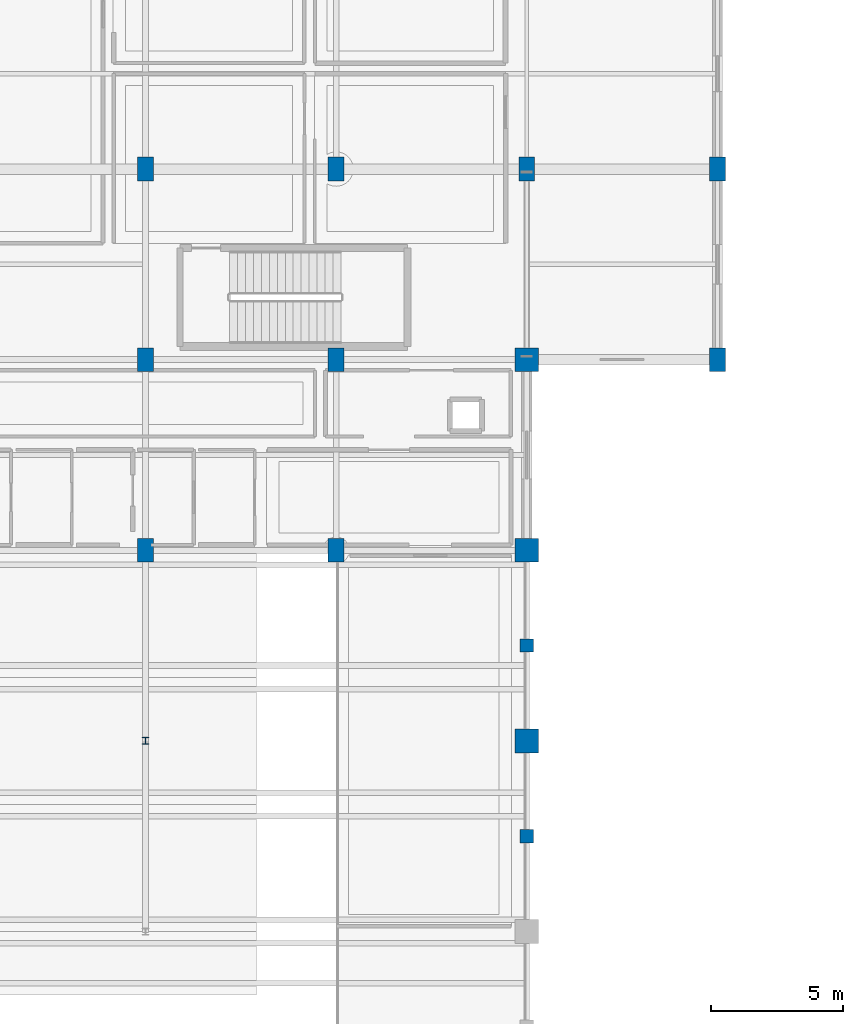
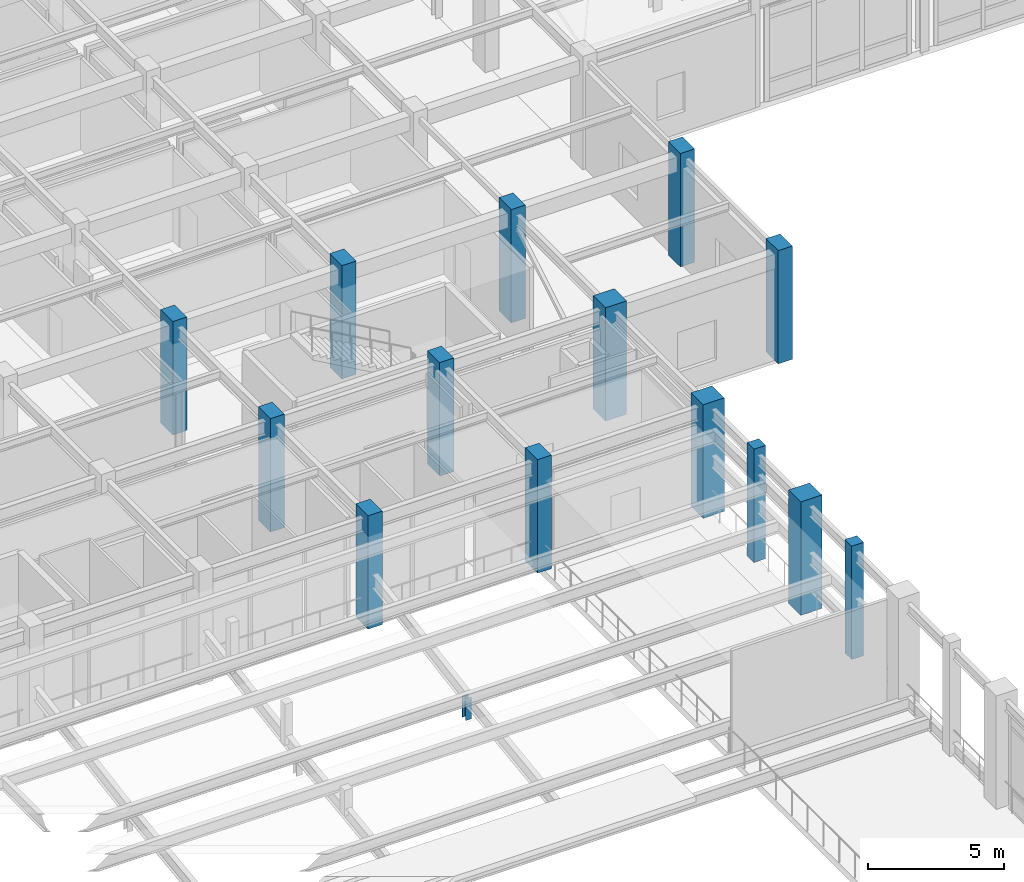
# One storey, part 3 of 117: 15 columns.
"""IFC4 building model written with IfcOpenShell, lengths in metres."""

from ifc_helpers import new_model, si_unit, direction, frame, origin, origin_2d, place, context, subcontext, project, spatial, rectangle, i_section, extrude, material, material_profile, profile_set, type_object, element, save


model = new_model("IFC4")

# Units and contexts
model_context = context("Model", 3, precision=1e-05, world=origin(), true_north=direction((0.0, 1.0)))
body_context = subcontext(model_context, "Body", "Model", "MODEL_VIEW")
ifc_project = project(units=[si_unit("LENGTHUNIT", "METRE"), si_unit("AREAUNIT", "SQUARE_METRE"), si_unit("VOLUMEUNIT", "CUBIC_METRE"), si_unit("PLANEANGLEUNIT", "RADIAN"), si_unit("MASSUNIT", "GRAM", prefix="KILO")], contexts=[model_context])

# Site, building, storey
site_placement = place(None, origin())
site = spatial("IfcSite", under=ifc_project, at=site_placement, CompositionType="ELEMENT")
building_placement = place(site_placement, origin())
building = spatial("IfcBuilding", under=site, at=building_placement, Name="Carrowvane Square Congress Hotel", CompositionType="ELEMENT")
storey_placement = place(building_placement, frame((0.0, 0.0, 5.39990234375)))
storey = spatial("IfcBuildingStorey", under=building, at=storey_placement, Name="L01", CompositionType="ELEMENT", Elevation=5.39990234375)

# Columns
ifc_material_1 = material(Name="Concrete C40/50", Category="concrete")
ifc_material_profile_1 = material_profile(ifc_material_1, rectangle(XDim=0.60009765625, YDim=0.89990234375, at=origin_2d()), Name="RC 600x900")
ifc_profile_set_1 = profile_set([ifc_material_profile_1], Name="Concrete C40/50")
column_type_1 = type_object("IfcColumnType", Name="COL-RC-600x900", PredefinedType="COLUMN", material=ifc_profile_set_1)
for number, where, z_axis, x_axis, name in (
    (1, (47.60009765625, 48.60009765625, 0.0), (0.0, 0.0, 1.0), (1.0, 0.0, 0.0), "L01 column 6/G"),
    (2, (47.60009765625, 55.800048828125, 0.0), (0.0, 0.0, 1.0), (1.0, 0.0, 0.0), "L01 column 6/H"),
    (3, (47.60009765625, 63.0, 0.0), (0.0, 0.0, 1.0), (1.0, 0.0, 0.0), "L01 column 6/J"),
    (4, (54.800048828125, 48.60009765625, 0.0), (0.0, 0.0, 1.0), (1.0, 0.0, 0.0), "L01 column 7/G"),
    (5, (54.800048828125, 55.800048828125, 0.0), (0.0, 0.0, 1.0), (1.0, 0.0, 0.0), "L01 column 7/H"),
    (6, (54.800048828125, 63.0, 0.0), (0.0, 0.0, 1.0), (1.0, 0.0, 0.0), "L01 column 7/J"),
    (7, (62.0, 63.0, 0.0), (0.0, 0.0, 1.0), (1.0, 0.0, 0.0), "L01 column 8/J"),
    (8, (69.199951171875, 55.800048828125, 0.0), (0.0, 0.0, 1.0), (1.0, 0.0, 0.0), "L01 column 9/H"),
    (9, (69.199951171875, 63.0, 0.0), (0.0, 0.0, 1.0), (1.0, 0.0, 0.0), "L01 column 9/J"),
):
    element("IfcColumn", number, at=place(storey_placement, frame(where, z_axis=z_axis, x_axis=x_axis)), inside=storey, type_object=column_type_1, Name=name, PredefinedType="COLUMN", context=body_context, shape_type="SweptSolid", body=[
        extrude(rectangle(XDim=0.60009765625, YDim=0.89990234375, at=origin_2d()), origin(), (0.0, 0.0, 1.0), 5.10009765625),
    ])
ifc_material_2 = material(Name="Steel S355", Category="steel")
ifc_material_profile_2 = material_profile(ifc_material_2, i_section(OverallWidth=0.25634765625, OverallDepth=0.26025390625, WebThickness=0.01025390625, FlangeThickness=0.017333984375, FilletRadius=0.0126953125, at=origin_2d()), Name="UKC 254x254x89")
ifc_profile_set_2 = profile_set([ifc_material_profile_2], Name="Steel S355")
column_type_2 = type_object("IfcColumnType", Name="COL-ST-UKC254", PredefinedType="COLUMN", material=ifc_profile_set_2)
column_placement = place(storey_placement, frame((47.60009765625, 41.39990234375, 0.0), z_axis=(0.0, 0.0, 1.0), x_axis=(1.0, 0.0, 0.0)))
element("IfcColumn", 10, at=column_placement, inside=storey, type_object=column_type_2, Name="L01 column RK47/RY41", PredefinedType="COLUMN", context=body_context, shape_type="SweptSolid", body=[
    extrude(i_section(OverallWidth=0.25634765625, OverallDepth=0.26025390625, WebThickness=0.01025390625, FlangeThickness=0.017333984375, FilletRadius=0.0126953125, at=origin_2d()), origin(), (0.0, 0.0, 1.0), 0.97021484375),
])
ifc_material_3 = material(Name="Concrete C40/50", Category="concrete")
ifc_material_profile_3 = material_profile(ifc_material_3, rectangle(XDim=0.89990234375, YDim=0.89990234375, at=origin_2d()), Name="RC 900x900")
ifc_profile_set_3 = profile_set([ifc_material_profile_3], Name="Concrete C40/50")
column_type_3 = type_object("IfcColumnType", Name="MCOL-RC-900", PredefinedType="COLUMN", material=ifc_profile_set_3)
for number, where, z_axis, x_axis, name in (
    (11, (62.0, 41.39990234375, 0.0), (0.0, 0.0, 1.0), (1.0, 0.0, 0.0), "L01 column 8/F"),
    (12, (62.0, 48.60009765625, 0.0), (0.0, 0.0, 1.0), (1.0, 0.0, 0.0), "L01 column 8/G"),
    (13, (62.0, 55.800048828125, 0.0), (0.0, 0.0, 1.0), (1.0, 0.0, 0.0), "L01 column 8/H"),
):
    element("IfcColumn", number, at=place(storey_placement, frame(where, z_axis=z_axis, x_axis=x_axis)), inside=storey, type_object=column_type_3, Name=name, PredefinedType="COLUMN", context=body_context, shape_type="SweptSolid", body=[
        extrude(rectangle(XDim=0.89990234375, YDim=0.89990234375, at=origin_2d()), origin(), (0.0, 0.0, 1.0), 5.10009765625),
    ])
ifc_material_4 = material(Name="Precast concrete C40/50", Category="concrete")
ifc_material_profile_4 = material_profile(ifc_material_4, rectangle(XDim=0.5, YDim=0.5, at=origin_2d()), Name="RC 500x500")
ifc_profile_set_4 = profile_set([ifc_material_profile_4], Name="Precast concrete C40/50")
column_type_4 = type_object("IfcColumnType", Name="PIL-PC-500", PredefinedType="PILASTER", material=ifc_profile_set_4)
for number, where, z_axis, x_axis, name in (
    (14, (62.0, 37.800048828125, 0.0), (0.0, 0.0, 1.0), (1.0, 0.0, 0.0), "L01 colonnade limestone pilaster 4"),
    (15, (62.0, 45.0, 0.0), (0.0, 0.0, 1.0), (1.0, 0.0, 0.0), "L01 colonnade limestone pilaster 5"),
):
    element("IfcColumn", number, at=place(storey_placement, frame(where, z_axis=z_axis, x_axis=x_axis)), inside=storey, type_object=column_type_4, Name=name, PredefinedType="PILASTER", context=body_context, shape_type="SweptSolid", body=[
        extrude(rectangle(XDim=0.5, YDim=0.5, at=origin_2d()), origin(), (0.0, 0.0, 1.0), 5.10009765625),
    ])

save(model, "model.ifc")
